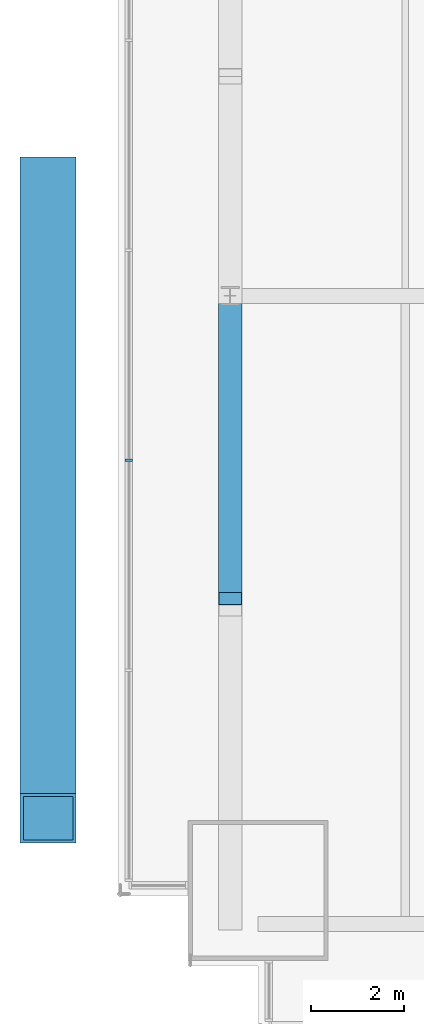
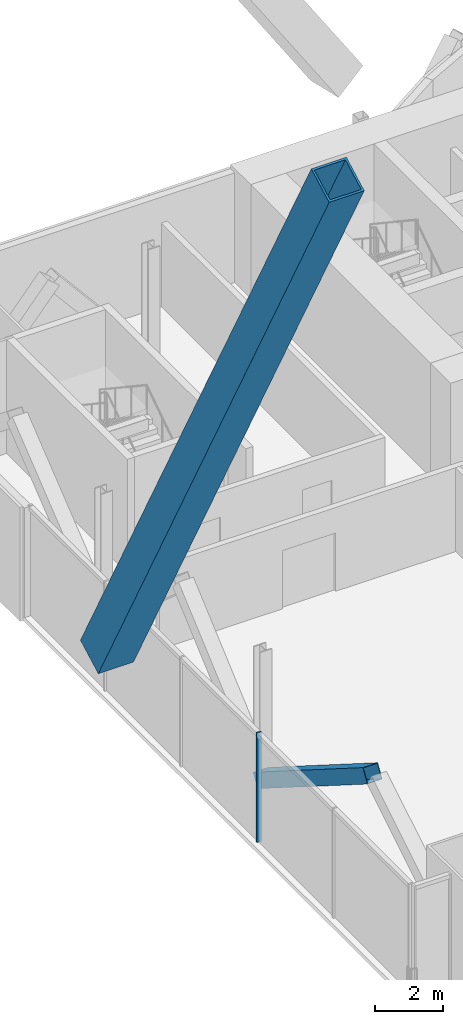
# One storey, part 5 of 23: 3 members, 1 element without a shape of its own.
"""IFC4 building model written with IfcOpenShell, lengths in metres."""

from ifc_helpers import new_model, si_unit, direction, frame, origin, origin_2d, place, context, subcontext, project, spatial, rectangle, hollow_rectangle, extrude, material, material_profile, profile_set, type_object, element, aggregate, save


model = new_model("IFC4")

# Units and contexts
model_context = context("Model", 3, precision=1e-05, world=origin(), true_north=direction((0.0, 1.0)))
body_context = subcontext(model_context, "Body", "Model", "MODEL_VIEW")
ifc_project = project(units=[si_unit("LENGTHUNIT", "METRE"), si_unit("AREAUNIT", "SQUARE_METRE"), si_unit("VOLUMEUNIT", "CUBIC_METRE"), si_unit("PLANEANGLEUNIT", "RADIAN"), si_unit("MASSUNIT", "GRAM", prefix="KILO")], contexts=[model_context])

# Site, building, storey
site_placement = place(None, origin())
site = spatial("IfcSite", under=ifc_project, at=site_placement, CompositionType="ELEMENT")
building_placement = place(site_placement, origin())
building = spatial("IfcBuilding", under=site, at=building_placement, Name="Bicima Exchange Tower", CompositionType="ELEMENT")
storey_placement = place(building_placement, frame((0.0, 0.0, 110.39990234375)))
storey = spatial("IfcBuildingStorey", under=building, at=storey_placement, Name="L23", CompositionType="ELEMENT", Elevation=110.39990234375)

# Curtain wall, member
ifc_material_1 = material(Name="Anodised bronze aluminium", Category="aluminium")
curtain_wall_type = type_object("IfcCurtainWallType", Name="End face glass wall", PredefinedType="NOTDEFINED", material=ifc_material_1)
curtain_wall_placement = place(storey_placement, origin())
curtain_wall = element("IfcCurtainWall", 1, at=curtain_wall_placement, inside=storey, type_object=curtain_wall_type, Name="End face glass wall L23 run 2", PredefinedType="NOTDEFINED")
ifc_material_profile_1 = material_profile(ifc_material_1, rectangle(XDim=0.159912109375, YDim=0.06005859375, at=origin_2d()))
ifc_profile_set_1 = profile_set([ifc_material_profile_1], Name="Anodised bronze aluminium")
member_type_1 = type_object("IfcMemberType", Name="End face glass wall mullion 60 x 160", PredefinedType="MULLION", material=ifc_profile_set_1)
member_1_placement = place(storey_placement, frame((-35.77001953125, -25.519287109375, 0.0), z_axis=(0.0, 0.0, 1.0), x_axis=(1.0, 0.0, 0.0)))
member_1 = element("IfcMember", 2, at=member_1_placement, type_object=member_type_1, Name="End face glass wall mullion 4", PredefinedType="MULLION", context=body_context, shape_type="SweptSolid", body=[
    extrude(rectangle(XDim=0.159912109375, YDim=0.06005859375, at=origin_2d()), origin(), (0.0, 0.0, 1.0), 3.9501953125),
])
aggregate(curtain_wall, [member_1])

# Members
ifc_material_2 = material(Name="Steel ASTM A572 Gr 50", Category="steel")
ifc_material_profile_2 = material_profile(ifc_material_2, hollow_rectangle(XDim=1.199951171875, YDim=1.199951171875, WallThickness=0.070068359375, at=origin_2d()))
ifc_profile_set_2 = profile_set([ifc_material_profile_2], Name="Steel ASTM A572 Gr 50")
member_type_2 = type_object("IfcMemberType", Name="Exo mega brace BOX 1200x1200x70", PredefinedType="BRACE", material=ifc_profile_set_2)
member_2_placement = place(storey_placement, frame((-37.5, -19.556396484375, 3.85009765625), z_axis=(0.0, -0.474971300612, 0.880001286133), x_axis=(1.0, 0.0, 0.0)))
element("IfcMember", 3, at=member_2_placement, inside=storey, type_object=member_type_2, Name="Exo mega brace end", PredefinedType="BRACE", context=body_context, shape_type="SweptSolid", body=[
    extrude(hollow_rectangle(XDim=1.199951171875, YDim=1.199951171875, WallThickness=0.070068359375, at=origin_2d()), origin(), (0.0, 0.0, 1.0), 28.693115234375),
])
ifc_material_profile_3 = material_profile(ifc_material_2, hollow_rectangle(XDim=0.508056640625, YDim=0.508056640625, WallThickness=0.0146484375, at=origin_2d()))
ifc_profile_set_3 = profile_set([ifc_material_profile_3], Name="Steel ASTM A572 Gr 50")
member_type_3 = type_object("IfcMemberType", Name="Mega brace HSS20x20x5/8", PredefinedType="BRACE", material=ifc_profile_set_3)
member_3_placement = place(storey_placement, frame((-33.60009765625, -22.0, -0.605712890625), z_axis=(0.0, -0.845135479116, 0.534552169521), x_axis=(1.0, 0.0, 0.0)))
element("IfcMember", 4, at=member_3_placement, inside=storey, type_object=member_type_3, Name="Mega brace west end", PredefinedType="BRACE", context=body_context, shape_type="SweptSolid", body=[
    extrude(hollow_rectangle(XDim=0.508056640625, YDim=0.508056640625, WallThickness=0.0146484375, at=origin_2d()), origin(), (0.0, 0.0, 1.0), 7.669677734375),
])

save(model, "model.ifc")
